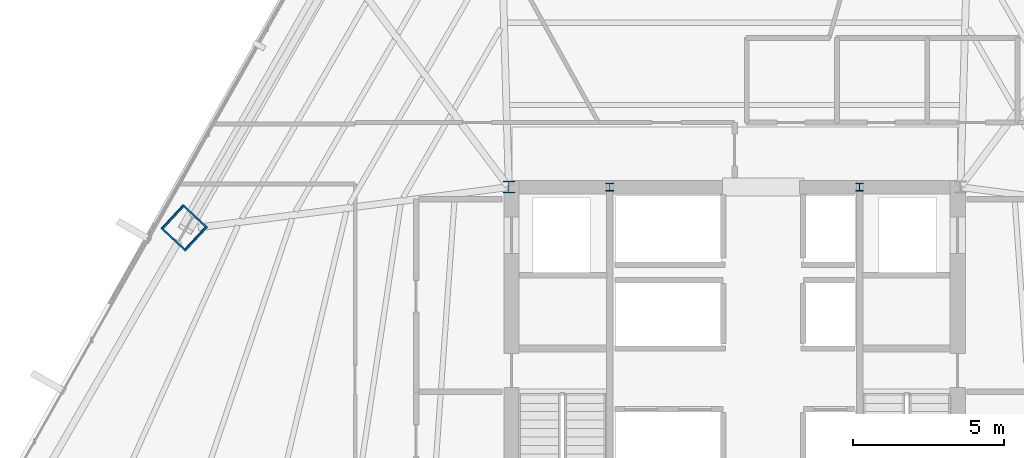
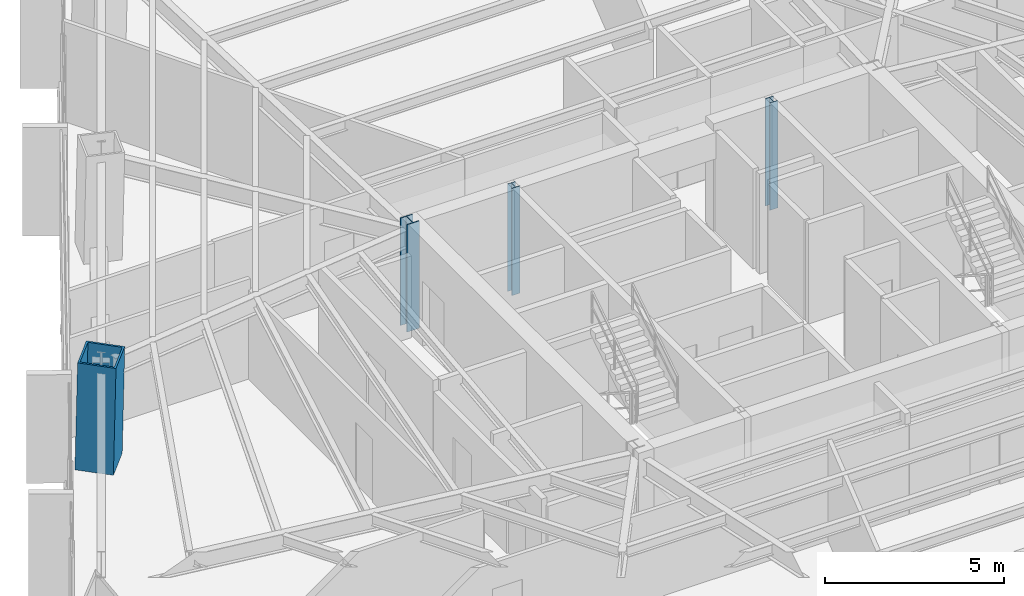
# One storey, part 2 of 36: 4 columns.
"""IFC4 building model written with IfcOpenShell, lengths in metres."""

from ifc_helpers import new_model, si_unit, direction, frame, origin, origin_2d, place, context, subcontext, project, spatial, hollow_rectangle, i_section, extrude, source, transform, mapped, material, material_profile, profile_set, type_object, type_shapes, element, save


model = new_model("IFC4")

# Units and contexts
model_context = context("Model", 3, precision=1e-05, world=origin(), true_north=direction((0.0, 1.0)))
body_context = subcontext(model_context, "Body", "Model", "MODEL_VIEW")
ifc_project = project(units=[si_unit("LENGTHUNIT", "METRE"), si_unit("AREAUNIT", "SQUARE_METRE"), si_unit("VOLUMEUNIT", "CUBIC_METRE"), si_unit("PLANEANGLEUNIT", "RADIAN"), si_unit("MASSUNIT", "GRAM", prefix="KILO")], contexts=[model_context])

# Site, building, storey
site_placement = place(None, origin())
site = spatial("IfcSite", under=ifc_project, at=site_placement, CompositionType="ELEMENT")
building_placement = place(site_placement, origin())
building = spatial("IfcBuilding", under=site, at=building_placement, Name="Caelisora Broadcast Tower", CompositionType="ELEMENT")
storey_placement = place(building_placement, frame((0.0, 0.0, 79.85009765625)))
storey = spatial("IfcBuildingStorey", under=building, at=storey_placement, Name="L20", CompositionType="ELEMENT", Elevation=79.85009765625)

# Columns
ifc_material_1 = material(Name="Steel Grade 350 (AS/NZS 3679.1)", Category="steel")
ifc_material_profile_1 = material_profile(ifc_material_1, i_section(OverallWidth=0.256103515625, OverallDepth=0.260009765625, WebThickness=0.010498046875, FlangeThickness=0.017333984375, at=origin_2d()), Name="Steel Grade 350 (AS/NZS 3679.1)")
ifc_profile_set_1 = profile_set([ifc_material_profile_1], Name="Steel Grade 350 (AS/NZS 3679.1)")
column_type_1 = type_object("IfcColumnType", Name="CC05", PredefinedType="COLUMN", material=ifc_profile_set_1)
shared_shape_1 = source(origin(), body_context, "Body", "SweptSolid", [
    extrude(i_section(OverallWidth=0.256103515625, OverallDepth=0.260009765625, WebThickness=0.010498046875, FlangeThickness=0.017333984375, at=origin_2d()), origin(), (0.0, 0.0, 1.0), 3.64990234375),
])
type_shapes(column_type_1, [shared_shape_1])
for number, where, z_axis, x_axis, name in (
    (1, (33.85009765625, 30.0, 0.0), (0.0, 0.0, 1.0), (1.0, 0.0, 0.0), "L20 column CC05"),
    (2, (42.14990234375, 30.0, 0.0), (0.0, 0.0, 1.0), (1.0, 0.0, 0.0), "L20 column CC05"),
):
    element("IfcColumn", number, at=place(storey_placement, frame(where, z_axis=z_axis, x_axis=x_axis)), inside=storey, type_object=column_type_1, Name=name, PredefinedType="COLUMN", context=body_context, shape_type="MappedRepresentation", body=[
        mapped(shared_shape_1, transform((0.0, 0.0, 0.0), scale=1.0)),
    ])
ifc_material_2 = material(Name="Steel Grade 350 (AS/NZS 3679.2)", Category="steel")
ifc_material_profile_2 = material_profile(ifc_material_2, i_section(OverallWidth=0.39990234375, OverallDepth=0.39990234375, WebThickness=0.02001953125, FlangeThickness=0.031982421875, at=origin_2d()), Name="Steel Grade 350 (AS/NZS 3679.2)")
ifc_profile_set_2 = profile_set([ifc_material_profile_2], Name="Steel Grade 350 (AS/NZS 3679.2)")
column_type_2 = type_object("IfcColumnType", Name="CC02", PredefinedType="COLUMN", material=ifc_profile_set_2)
shared_shape_2 = source(origin(), body_context, "Body", "SweptSolid", [
    extrude(i_section(OverallWidth=0.39990234375, OverallDepth=0.39990234375, WebThickness=0.02001953125, FlangeThickness=0.031982421875, at=origin_2d()), origin(), (0.0, 0.0, 1.0), 3.64990234375),
])
type_shapes(column_type_2, [shared_shape_2])
column_1_placement = place(storey_placement, frame((30.5, 30.0, 0.0), z_axis=(0.0, 0.0, 1.0), x_axis=(1.0, 0.0, 0.0)))
element("IfcColumn", 3, at=column_1_placement, inside=storey, type_object=column_type_2, Name="L20 column CC02", PredefinedType="COLUMN", context=body_context, shape_type="MappedRepresentation", body=[
    mapped(shared_shape_2, transform((0.0, 0.0, 0.0), scale=1.0)),
])
ifc_material_3 = material(Name="Steel Grade 350 L15 (AS/NZS 3678)", Category="steel")
ifc_material_profile_3 = material_profile(ifc_material_3, hollow_rectangle(XDim=1.10009765625, YDim=1.10009765625, WallThickness=0.06005859375, at=origin_2d()), Name="Steel Grade 350 L15 (AS/NZS 3678)")
ifc_profile_set_3 = profile_set([ifc_material_profile_3], Name="Steel Grade 350 L15 (AS/NZS 3678)")
column_type_3 = type_object("IfcColumnType", Name="MC03", PredefinedType="COLUMN", material=ifc_profile_set_3)
shared_shape_3 = source(origin(), body_context, "Body", "SweptSolid", [
    extrude(hollow_rectangle(XDim=1.10009765625, YDim=1.10009765625, WallThickness=0.06005859375, at=origin_2d()), origin(), (0.0, 0.0, 1.0), 3.650634765625),
])
type_shapes(column_type_3, [shared_shape_3])
column_2_placement = place(storey_placement, frame((19.712646484375, 28.655517578125, 0.0), z_axis=(0.014913299626, -0.013843287097, 0.999792957015), x_axis=(0.680325028146, 0.732910537568, 0.0)))
element("IfcColumn", 4, at=column_2_placement, inside=storey, type_object=column_type_3, Name="L20 column MC03", PredefinedType="COLUMN", context=body_context, shape_type="MappedRepresentation", body=[
    mapped(shared_shape_3, transform((0.0, 0.0, 0.0), scale=1.0)),
])

save(model, "model.ifc")
